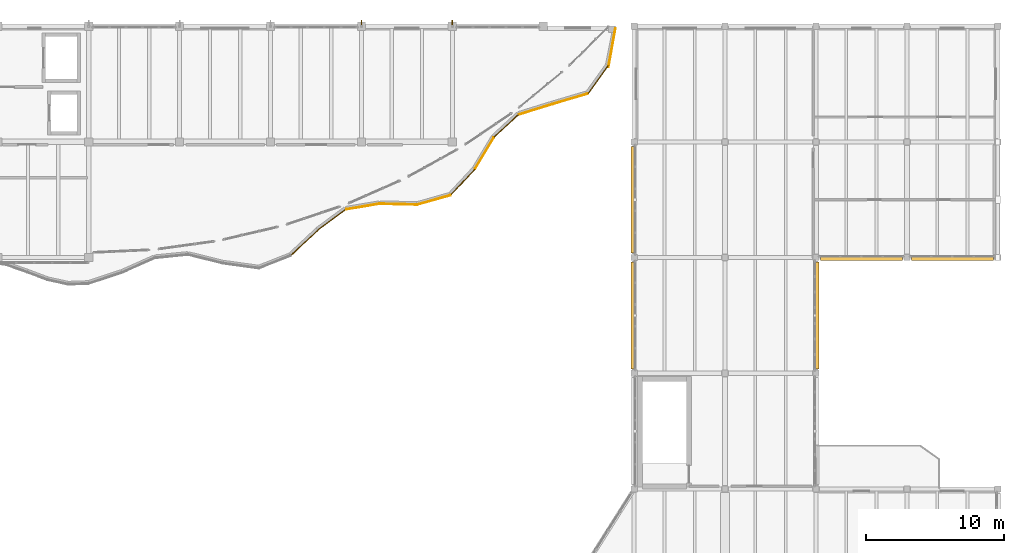
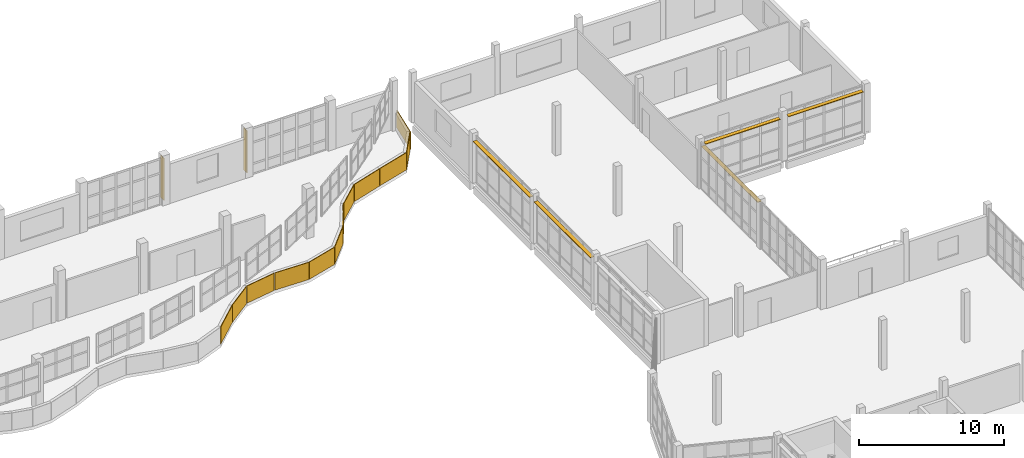
# One storey, part 74 of 74: 12 coverings, 7 shading devices.
"""IFC4 building model written with IfcOpenShell, lengths in metres."""

import ifcopenshell
import ifcopenshell.guid

model = None  # the IFC model being written
_history = None  # IfcOwnerHistory: only IFC2X3 demands one
_inside = {}  # id of a spatial element -> (the spatial element, [elements in it])
_under = {}  # id of a project, library or spatial element -> (it, [spatial elements below it])
_declared = {}  # id of a project -> (the project, [libraries it declares])
_typed = {}  # id of a type object -> (the type object, [elements of that type])
_made_of = {}  # id of a material, layer set ... -> (it, [elements and type objects made of it])


def new_model(schema):
    """Start an empty IFC model of exactly this schema.

    Asked for "IFC4X3", IfcOpenShell would pick the latest addendum, in which some entities
    have other attributes; the version numbers below select the first issue.
    IFC2X3 requires an IfcOwnerHistory on every rooted entity: one is made here for all.
    """
    global model, _history
    if schema == "IFC4X3":
        model = ifcopenshell.file(schema_version=(4, 3, 0, 0))
    else:
        model = ifcopenshell.file(schema=schema)
    _inside.clear()
    _under.clear()
    _declared.clear()
    _typed.clear()
    _made_of.clear()
    _history = None
    if model.schema == "IFC2X3":
        org = make("IfcOrganization", Name="unknown")
        user = make(
            "IfcPersonAndOrganization",
            ThePerson=make("IfcPerson", FamilyName="unknown"),
            TheOrganization=org,
        )
        app = make(
            "IfcApplication",
            ApplicationDeveloper=org,
            Version="unknown",
            ApplicationFullName="unknown",
            ApplicationIdentifier="unknown",
        )
        _history = make(
            "IfcOwnerHistory",
            OwningUser=user,
            OwningApplication=app,
            ChangeAction="ADDED",
            CreationDate=0,
        )
    return model


def make(cls, **values):
    """One entity of the class cls with the attributes given. An attribute that is None is left unset."""
    return model.create_entity(
        cls, **{name: value for name, value in values.items() if value is not None}
    )


def rooted(cls, **values):
    """An entity with a GlobalId (a new one), such as an element, a storey or a relation."""
    return make(cls, GlobalId=ifcopenshell.guid.new(), OwnerHistory=_history, **values)


def si_unit(unit_type, name, prefix=None):
    """IfcSIUnit, for example si_unit("LENGTHUNIT", "METRE", prefix="MILLI")."""
    return make("IfcSIUnit", UnitType=unit_type, Prefix=prefix, Name=name)


def assignment(units):
    """IfcUnitAssignment: the units of a project."""
    return None if units is None else make("IfcUnitAssignment", Units=units)


def point(xyz):
    """IfcCartesianPoint."""
    return None if xyz is None else make("IfcCartesianPoint", Coordinates=xyz)


def direction(xyz):
    """IfcDirection."""
    return None if xyz is None else make("IfcDirection", DirectionRatios=xyz)


def frame(location, z_axis=None, x_axis=None):
    """IfcAxis2Placement3D, a coordinate frame: its origin and axes. An axis left out is left unset."""
    return make(
        "IfcAxis2Placement3D",
        Location=point(location),
        Axis=direction(z_axis),
        RefDirection=direction(x_axis),
    )


def frame_2d(location, x_axis=None):
    """IfcAxis2Placement2D, a coordinate frame in the plane: its origin and x axis."""
    return make(
        "IfcAxis2Placement2D", Location=point(location), RefDirection=direction(x_axis)
    )


def origin():
    """The frame at (0, 0, 0) with its axes left unset."""
    return frame((0.0, 0.0, 0.0))


def origin_2d():
    """The frame at (0, 0) in the plane with its x axis left unset."""
    return frame_2d((0.0, 0.0))


def place(relative_to, where):
    """IfcLocalPlacement: puts the frame where relative to a parent placement (None: the world)."""
    return make(
        "IfcLocalPlacement", PlacementRelTo=relative_to, RelativePlacement=where
    )


def context(
    kind, dimensions, precision=None, world=None, true_north=None, identifier=None
):
    """IfcGeometricRepresentationContext, for example the 3D "Model" context."""
    return make(
        "IfcGeometricRepresentationContext",
        ContextIdentifier=identifier,
        ContextType=kind,
        CoordinateSpaceDimension=dimensions,
        Precision=precision,
        WorldCoordinateSystem=world,
        TrueNorth=true_north,
    )


def subcontext(parent, identifier, kind, view, scale=None):
    """IfcGeometricRepresentationSubContext, for example "Body" below "Model"."""
    return make(
        "IfcGeometricRepresentationSubContext",
        ContextIdentifier=identifier,
        ContextType=kind,
        ParentContext=parent,
        TargetScale=scale,
        TargetView=view,
    )


def project(units=None, contexts=None):
    """IfcProject with its units and contexts."""
    return rooted(
        "IfcProject",
        Name="project",
        RepresentationContexts=contexts,
        UnitsInContext=assignment(units),
    )


def spatial(cls, under=None, at=None, **own):
    """A site, building, storey or space (cls), placed at a placement, below another one or the project."""
    s = rooted(cls, ObjectPlacement=at, **own)
    if under is not None:
        _under.setdefault(under.id(), (under, []))[1].append(s)
    return s


def profile(cls, at=None, kind="AREA", **sizes):
    """A parametric profile (cls). Its sizes go by their IFC names, for example OverallWidth=200.0."""
    return make(cls, ProfileType=kind, Position=at, **sizes)


def rectangle(**sizes):
    """IfcRectangleProfileDef."""
    return profile("IfcRectangleProfileDef", **sizes)


def extrude(swept, where, along, depth):
    """IfcExtrudedAreaSolid: the profile swept, set in the frame where, extruded along a direction by depth."""
    return make(
        "IfcExtrudedAreaSolid",
        SweptArea=swept,
        Position=where,
        ExtrudedDirection=direction(along),
        Depth=depth,
    )


def shape(context_of_items, identifier, shape_type, items):
    """IfcShapeRepresentation: the items that make up one representation, for example the "Body"."""
    return make(
        "IfcShapeRepresentation",
        ContextOfItems=context_of_items,
        RepresentationIdentifier=identifier,
        RepresentationType=shape_type,
        Items=items,
    )


def material(Name=None, Category=None):
    """IfcMaterial."""
    return make("IfcMaterial", Name=Name, Category=Category)


def layer(
    of_material, thickness, ventilated=None, Name=None, Category=None, Priority=None
):
    """IfcMaterialLayer: one layer of a wall or slab, of a material (None: an air gap)."""
    return make(
        "IfcMaterialLayer",
        Material=of_material,
        LayerThickness=thickness,
        IsVentilated=ventilated,
        Name=Name,
        Category=Category,
        Priority=Priority,
    )


def layer_set(layers, Name=None):
    """IfcMaterialLayerSet."""
    return make("IfcMaterialLayerSet", MaterialLayers=layers, LayerSetName=Name)


def made_of(thing, what):
    """Note that an element or type object is made of a material, layer set ...; save() writes the relation."""
    if what is not None:
        _made_of.setdefault(what.id(), (what, []))[1].append(thing)
    return thing


def type_object(cls, material=None, **own):
    """A type object (cls), such as IfcWallType, which elements share."""
    return made_of(rooted(cls, **own), material)


def element(
    cls,
    number,
    at=None,
    inside=None,
    cuts=None,
    type_object=None,
    material=None,
    context=None,
    identifier="Body",
    shape_type=None,
    held_by="IfcProductDefinitionShape",
    body=None,
    shapes=None,
    **own,
):
    """One element of the class cls, such as IfcWall. Its Tag is "e" and its number.

    at: its placement. inside: the storey or other place that contains it. cuts: it is an
    opening in that element (IfcRelVoidsElement). A single representation is given by context,
    identifier, shape_type and body (its items); several are given by shapes. held_by: the class
    of the entity that holds the representations. save() writes the other relations.
    """
    e = rooted(cls, Tag="e%d" % number, ObjectPlacement=at, **own)
    if body is not None:
        shapes = [shape(context, identifier, shape_type, body)]
    if shapes is not None:
        e.Representation = make(held_by, Representations=shapes)
    if inside is not None:
        _inside.setdefault(inside.id(), (inside, []))[1].append(e)
    if cuts is not None:
        rooted(
            "IfcRelVoidsElement", RelatingBuildingElement=cuts, RelatedOpeningElement=e
        )
    if type_object is not None:
        _typed.setdefault(type_object.id(), (type_object, []))[1].append(e)
    return made_of(e, material)


def aggregate(whole, parts):
    """IfcRelAggregates: a whole, such as a stair, and the parts it consists of."""
    return rooted("IfcRelAggregates", RelatingObject=whole, RelatedObjects=parts)


def save(model, path):
    """Write the relations noted so far, then the file.

    IfcRelAggregates (storeys below a building ...), IfcRelContainedInSpatialStructure (elements
    in a storey), IfcRelDefinesByType, IfcRelAssociatesMaterial and IfcRelDeclares: one each for
    every whole, place, type object, material and project.
    """
    for whole, parts in _under.values():
        aggregate(whole, parts)
    for where, things in _inside.values():
        rooted(
            "IfcRelContainedInSpatialStructure",
            RelatedElements=things,
            RelatingStructure=where,
        )
    for kind, things in _typed.values():
        rooted("IfcRelDefinesByType", RelatedObjects=things, RelatingType=kind)
    for what, things in _made_of.values():
        rooted("IfcRelAssociatesMaterial", RelatedObjects=things, RelatingMaterial=what)
    for by, libraries in _declared.values():
        rooted("IfcRelDeclares", RelatingContext=by, RelatedDefinitions=libraries)
    model.write(path)


model = new_model("IFC4")

# Units and contexts
model_context = context("Model", 3, precision=1e-05, world=origin(), true_north=direction((0.0, 1.0)))
body_context = subcontext(model_context, "Body", "Model", "MODEL_VIEW")
ifc_project = project(units=[si_unit("LENGTHUNIT", "METRE"), si_unit("AREAUNIT", "SQUARE_METRE"), si_unit("VOLUMEUNIT", "CUBIC_METRE"), si_unit("PLANEANGLEUNIT", "RADIAN"), si_unit("MASSUNIT", "GRAM", prefix="KILO")], contexts=[model_context])

# Site, building, storey
site_placement = place(None, origin())
site = spatial("IfcSite", under=ifc_project, at=site_placement, CompositionType="ELEMENT")
building_placement = place(site_placement, origin())
building = spatial("IfcBuilding", under=site, at=building_placement, Name="Qaldarim Faculty of Natural and Applied Sciences", CompositionType="ELEMENT")
storey_placement = place(building_placement, frame((0.0, 0.0, 14.39990234375)))
storey = spatial("IfcBuildingStorey", under=building, at=storey_placement, Name="L03", CompositionType="ELEMENT", Elevation=14.39990234375)

# Coverings
ifc_material_1 = material(Name="White architectural precast concrete C40/50", Category="concrete")
ifc_layer_1 = layer(ifc_material_1, 0.06005859375)
ifc_layer_set_1 = layer_set([ifc_layer_1], Name="White architectural precast concrete C40/50")
covering_type = type_object("IfcCoveringType", Name="LimestoneSpandrelCladding-60", PredefinedType="CLADDING", material=ifc_layer_set_1)
covering_1_placement = place(storey_placement, frame((127.85498046875, 101.864990234375, 0.0), z_axis=(0.0, 0.0, 1.0), x_axis=(0.730567610858, 0.682840366386, 0.0)))
element("IfcCovering", 1, at=covering_1_placement, inside=storey, type_object=covering_type, Name="White limestone wave band fascia L03 chord 60", PredefinedType="CLADDING", context=body_context, shape_type="SweptSolid", body=[
    extrude(rectangle(XDim=2.68505859375, YDim=0.06005859375, at=origin_2d()), origin(), (0.0, 0.0, 1.0), 1.449951171875),
])
covering_2_placement = place(storey_placement, frame((129.860107421875, 103.550048828125, 0.0), z_axis=(0.0, 0.0, 1.0), x_axis=(0.803804949476, 0.594892934231, 0.0)))
element("IfcCovering", 2, at=covering_2_placement, inside=storey, type_object=covering_type, Name="White limestone wave band fascia L03 chord 61", PredefinedType="CLADDING", context=body_context, shape_type="SweptSolid", body=[
    extrude(rectangle(XDim=2.47509765625, YDim=0.06005859375, at=origin_2d()), origin(), (0.0, 0.0, 1.0), 1.449951171875),
])
covering_3_placement = place(storey_placement, frame((132.10009765625, 104.5048828125, 0.0), z_axis=(0.0, 0.0, 1.0), x_axis=(0.986449309022, 0.164066330275, 0.0)))
element("IfcCovering", 3, at=covering_3_placement, inside=storey, type_object=covering_type, Name="White limestone wave band fascia L03 chord 62", PredefinedType="CLADDING", context=body_context, shape_type="SweptSolid", body=[
    extrude(rectangle(XDim=2.429931640625, YDim=0.06005859375, at=origin_2d()), origin(), (0.0, 0.0, 1.0), 1.449951171875),
])
covering_4_placement = place(storey_placement, frame((134.68994140625, 104.675048828125, 0.0), z_axis=(0.0, 0.0, 1.0), x_axis=(0.99971581211, -0.02383893908, 0.0)))
element("IfcCovering", 4, at=covering_4_placement, inside=storey, type_object=covering_type, Name="White limestone wave band fascia L03 chord 63", PredefinedType="CLADDING", context=body_context, shape_type="SweptSolid", body=[
    extrude(rectangle(XDim=2.68505859375, YDim=0.06005859375, at=origin_2d()), origin(), (0.0, 0.0, 1.0), 1.449951171875),
])
covering_5_placement = place(storey_placement, frame((137.260009765625, 104.985107421875, 0.0), z_axis=(0.0, 0.0, 1.0), x_axis=(0.962265500742, 0.272112304173, 0.0)))
element("IfcCovering", 5, at=covering_5_placement, inside=storey, type_object=covering_type, Name="White limestone wave band fascia L03 chord 64", PredefinedType="CLADDING", context=body_context, shape_type="SweptSolid", body=[
    extrude(rectangle(XDim=2.4951171875, YDim=0.06005859375, at=origin_2d()), origin(), (0.0, 0.0, 1.0), 1.449951171875),
])
covering_6_placement = place(storey_placement, frame((139.35498046875, 106.27001953125, 0.0), z_axis=(0.0, 0.0, 1.0), x_axis=(0.681564245986, 0.731758278801, 0.0)))
element("IfcCovering", 6, at=covering_6_placement, inside=storey, type_object=covering_type, Name="White limestone wave band fascia L03 chord 65", PredefinedType="CLADDING", context=body_context, shape_type="SweptSolid", body=[
    extrude(rectangle(XDim=2.550048828125, YDim=0.06005859375, at=origin_2d()), origin(), (0.0, 0.0, 1.0), 1.449951171875),
])
covering_7_placement = place(storey_placement, frame((140.925048828125, 108.3701171875, 0.0), z_axis=(0.0, 0.0, 1.0), x_axis=(0.515307336539, 0.857005454422, 0.0)))
element("IfcCovering", 7, at=covering_7_placement, inside=storey, type_object=covering_type, Name="White limestone wave band fascia L03 chord 66", PredefinedType="CLADDING", context=body_context, shape_type="SweptSolid", body=[
    extrude(rectangle(XDim=2.6650390625, YDim=0.06005859375, at=origin_2d()), origin(), (0.0, 0.0, 1.0), 1.449951171875),
])
covering_8_placement = place(storey_placement, frame((142.514892578125, 110.360107421875, 0.0), z_axis=(0.0, 0.0, 1.0), x_axis=(0.734488349824, 0.678621296433, 0.0)))
element("IfcCovering", 8, at=covering_8_placement, inside=storey, type_object=covering_type, Name="White limestone wave band fascia L03 chord 67", PredefinedType="CLADDING", context=body_context, shape_type="SweptSolid", body=[
    extrude(rectangle(XDim=2.375, YDim=0.06005859375, at=origin_2d()), origin(), (0.0, 0.0, 1.0), 1.449951171875),
])
covering_9_placement = place(storey_placement, frame((144.655029296875, 111.56494140625, 0.0), z_axis=(0.0, 0.0, 1.0), x_axis=(0.955231900625, 0.29585810117, 0.0)))
element("IfcCovering", 9, at=covering_9_placement, inside=storey, type_object=covering_type, Name="White limestone wave band fascia L03 chord 68", PredefinedType="CLADDING", context=body_context, shape_type="SweptSolid", body=[
    extrude(rectangle(XDim=2.544921875, YDim=0.06005859375, at=origin_2d()), origin(), (0.0, 0.0, 1.0), 1.449951171875),
])
covering_10_placement = place(storey_placement, frame((147.179931640625, 112.330078125, 0.0), z_axis=(0.0, 0.0, 1.0), x_axis=(0.959042504251, 0.283262201925, 0.0)))
element("IfcCovering", 10, at=covering_10_placement, inside=storey, type_object=covering_type, Name="White limestone wave band fascia L03 chord 69", PredefinedType="CLADDING", context=body_context, shape_type="SweptSolid", body=[
    extrude(rectangle(XDim=2.659912109375, YDim=0.06005859375, at=origin_2d()), origin(), (0.0, 0.0, 1.0), 1.449951171875),
])
covering_11_placement = place(storey_placement, frame((149.195068359375, 113.72509765625, 0.0), z_axis=(0.0, 0.0, 1.0), x_axis=(0.582733031437, 0.812663653717, 0.0)))
element("IfcCovering", 11, at=covering_11_placement, inside=storey, type_object=covering_type, Name="White limestone wave band fascia L03 chord 70", PredefinedType="CLADDING", context=body_context, shape_type="SweptSolid", body=[
    extrude(rectangle(XDim=2.485107421875, YDim=0.06005859375, at=origin_2d()), origin(), (0.0, 0.0, 1.0), 1.449951171875),
])
covering_12_placement = place(storey_placement, frame((150.18505859375, 116.034912109375, 0.0), z_axis=(0.0, 0.0, 1.0), x_axis=(0.178578974082, 0.983925581544, 0.0)))
element("IfcCovering", 12, at=covering_12_placement, inside=storey, type_object=covering_type, Name="White limestone wave band fascia L03 chord 71", PredefinedType="CLADDING", context=body_context, shape_type="SweptSolid", body=[
    extrude(rectangle(XDim=2.8701171875, YDim=0.06005859375, at=origin_2d()), origin(), (0.0, 0.0, 1.0), 1.449951171875),
])

# Shading devices
ifc_material_2 = material(Name="Champagne anodised aluminium AW-6063", Category="aluminium")
ifc_layer_2 = layer(ifc_material_2, 0.050048828125)
ifc_layer_set_2 = layer_set([ifc_layer_2], Name="Champagne anodised aluminium AW-6063")
shading_device_type_1 = type_object("IfcShadingDeviceType", Name="SolarLouvre-ALU300x50", PredefinedType="JALOUSIE", material=ifc_layer_set_2)
for number, where, z_axis, x_axis, name in (
    (13, (151.72998046875, 96.60009765625, 3.56494140625), (0.0, 0.0, 1.0), (0.0, 1.0, 0.0), "Horizontal solar louvre L03 W X24Y12"),
    (14, (151.72998046875, 105.0, 3.56494140625), (0.0, 0.0, 1.0), (0.0, 1.0, 0.0), "Horizontal solar louvre L03 W X24Y13"),
    (15, (165.070068359375, 96.60009765625, 3.56494140625), (0.0, 0.0, 1.0), (0.0, 1.0, 0.0), "Horizontal solar louvre L03 E X25Y12"),
):
    element("IfcShadingDevice", number, at=place(storey_placement, frame(where, z_axis=z_axis, x_axis=x_axis)), inside=storey, type_object=shading_device_type_1, Name=name, PredefinedType="JALOUSIE", context=body_context, shape_type="SweptSolid", body=[
        extrude(rectangle(XDim=7.760009765625, YDim=0.300048828125, at=origin_2d()), origin(), (0.0, 0.0, 1.0), 0.050048828125),
    ])
for number, where, z_axis, x_axis, name in (
    (16, (168.300048828125, 100.72998046875, 3.56494140625), (0.0, 0.0, 1.0), (1.0, 0.0, 0.0), "Horizontal solar louvre L03 S X26Y13"),
    (17, (174.89990234375, 100.72998046875, 3.56494140625), (0.0, 0.0, 1.0), (1.0, 0.0, 0.0), "Horizontal solar louvre L03 S X27Y13"),
):
    element("IfcShadingDevice", number, at=place(storey_placement, frame(where, z_axis=z_axis, x_axis=x_axis)), inside=storey, type_object=shading_device_type_1, Name=name, PredefinedType="JALOUSIE", context=body_context, shape_type="SweptSolid", body=[
        extrude(rectangle(XDim=5.9599609375, YDim=0.300048828125, at=origin_2d()), origin(), (0.0, 0.0, 1.0), 0.050048828125),
    ])
ifc_layer_3 = layer(ifc_material_2, 0.06005859375)
ifc_layer_set_3 = layer_set([ifc_layer_3], Name="Champagne anodised aluminium AW-6063")
shading_device_type_2 = type_object("IfcShadingDeviceType", Name="VerticalSunFin-ALU450x60", PredefinedType="SHUTTER", material=ifc_layer_set_3)
for number, where, z_axis, x_axis, name in (
    (18, (132.0, 117.824951171875, 0.2001953125), (0.0, 0.0, 1.0), (1.0, 0.0, 0.0), "North pier fin FIN-V4N-L03-X21"),
    (19, (138.60009765625, 117.824951171875, 0.2001953125), (0.0, 0.0, 1.0), (1.0, 0.0, 0.0), "North pier fin FIN-V4N-L03-X22"),
):
    element("IfcShadingDevice", number, at=place(storey_placement, frame(where, z_axis=z_axis, x_axis=x_axis)), inside=storey, type_object=shading_device_type_2, Name=name, PredefinedType="SHUTTER", context=body_context, shape_type="SweptSolid", body=[
        extrude(rectangle(XDim=0.06005859375, YDim=0.449951171875, at=origin_2d()), origin(), (0.0, 0.0, 1.0), 3.5400390625),
    ])

save(model, "model.ifc")
